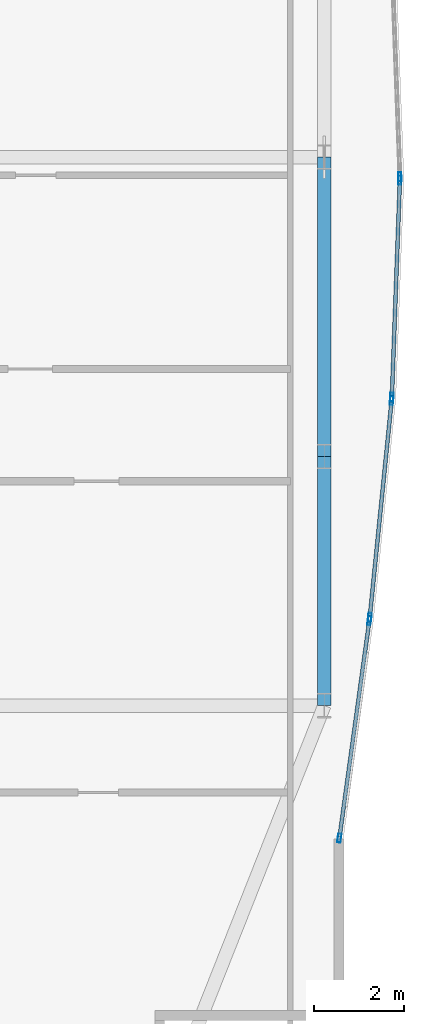
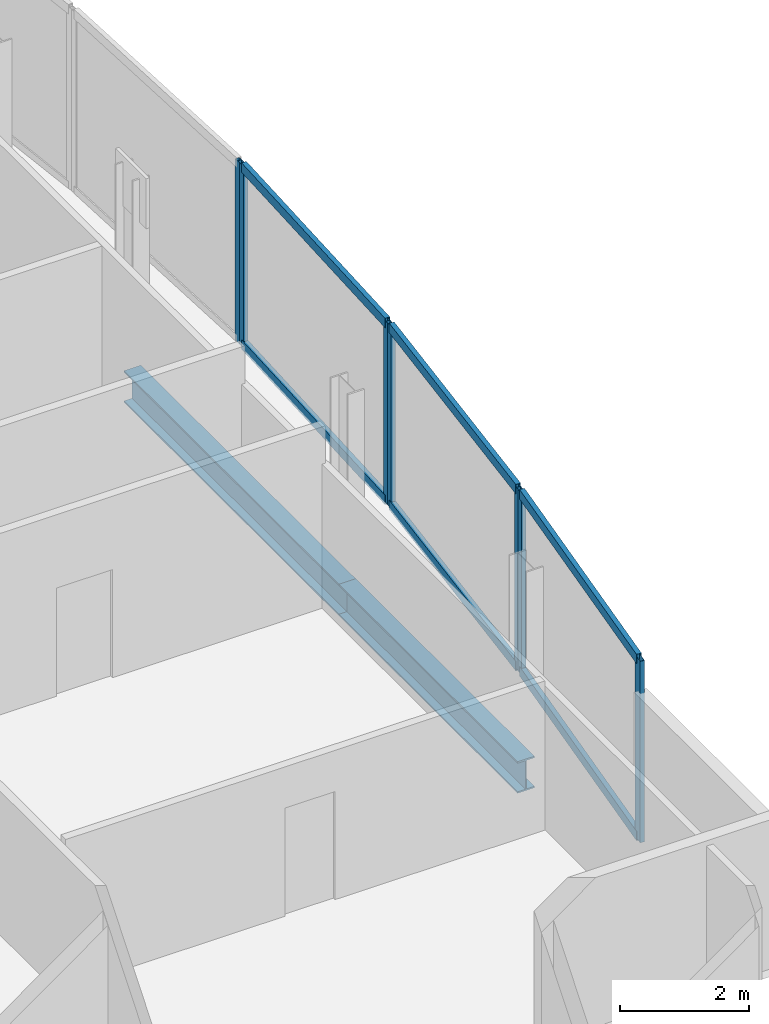
# One storey, part 21 of 29: 13 members, 2 beams, 4 elements without a shape of their own.
"""IFC4 building model written with IfcOpenShell, lengths in metres."""

from ifc_helpers import new_model, si_unit, direction, frame, origin, origin_2d, place, context, subcontext, project, spatial, hollow_rectangle, i_section, extrude, material, material_profile, profile_set, type_object, element, aggregate, save


model = new_model("IFC4")

# Units and contexts
model_context = context("Model", 3, precision=1e-05, world=origin(), true_north=direction((0.0, 1.0)))
body_context = subcontext(model_context, "Body", "Model", "MODEL_VIEW")
ifc_project = project(units=[si_unit("LENGTHUNIT", "METRE"), si_unit("AREAUNIT", "SQUARE_METRE"), si_unit("VOLUMEUNIT", "CUBIC_METRE"), si_unit("PLANEANGLEUNIT", "RADIAN"), si_unit("MASSUNIT", "GRAM", prefix="KILO")], contexts=[model_context])

# Site, building, storey
site_placement = place(None, origin())
site = spatial("IfcSite", under=ifc_project, at=site_placement, CompositionType="ELEMENT")
building_placement = place(site_placement, origin())
building = spatial("IfcBuilding", under=site, at=building_placement, Name="Khoronbel Lancet Exchange", CompositionType="ELEMENT")
storey_placement = place(building_placement, frame((0.0, 0.0, 177.0)))
storey = spatial("IfcBuildingStorey", under=building, at=storey_placement, Name="L44", CompositionType="ELEMENT", Elevation=177.0)

# Beams
ifc_material_1 = material(Name="Steel S355", Category="steel")
ifc_material_profile_1 = material_profile(ifc_material_1, i_section(OverallWidth=0.300048828125, OverallDepth=0.60009765625, WebThickness=0.015380859375, FlangeThickness=0.030029296875, at=origin_2d()), Name="HEB 600")
ifc_profile_set_1 = profile_set([ifc_material_profile_1], Name="Steel S355")
beam_type = type_object("IfcBeamType", Name="BM-BSP2", PredefinedType="SPANDREL", material=ifc_profile_set_1)
beam_1_placement = place(storey_placement, frame((67.6298828125, 19.199951171875, -0.4599609375), z_axis=(0.0, 1.0, 0.0), x_axis=(-1.0, 0.0, 0.0)))
element("IfcBeam", 1, at=beam_1_placement, inside=storey, type_object=beam_type, Name="Level L44 perimeter spandrel beam SP11", PredefinedType="SPANDREL", context=body_context, shape_type="SweptSolid", body=[
    extrude(i_section(OverallWidth=0.300048828125, OverallDepth=0.60009765625, WebThickness=0.015380859375, FlangeThickness=0.030029296875, at=origin_2d()), origin(), (0.0, 0.0, 1.0), 5.550048828125),
])
beam_2_placement = place(storey_placement, frame((67.6298828125, 24.75, -0.4599609375), z_axis=(0.0, 1.0, 0.0), x_axis=(-1.0, 0.0, 0.0)))
element("IfcBeam", 2, at=beam_2_placement, inside=storey, type_object=beam_type, Name="Level L44 perimeter spandrel beam SP12", PredefinedType="SPANDREL", context=body_context, shape_type="SweptSolid", body=[
    extrude(i_section(OverallWidth=0.300048828125, OverallDepth=0.60009765625, WebThickness=0.015380859375, FlangeThickness=0.030029296875, at=origin_2d()), origin(), (0.0, 0.0, 1.0), 6.675048828125),
])

# Curtain wall, member
ifc_material_2 = material(Name="Low-E Solar Control Insulating Glass", Category="glass")
curtain_wall_type = type_object("IfcCurtainWallType", Name="CW-4", PredefinedType="NOTDEFINED", material=ifc_material_2)
curtain_wall_1_placement = place(storey_placement, origin())
curtain_wall_1 = element("IfcCurtainWall", 3, at=curtain_wall_1_placement, inside=storey, type_object=curtain_wall_type, Name="Unitised curtain wall CW-L44-E19", PredefinedType="NOTDEFINED")
ifc_material_3 = material(Name="Bronze-Anodised Aluminium 6063-T6", Category="aluminium")
ifc_material_profile_2 = material_profile(ifc_material_3, hollow_rectangle(XDim=0.074951171875, YDim=0.199951171875, WallThickness=0.0048828125, at=origin_2d()), Name="ALU MULLION 75x200")
ifc_profile_set_2 = profile_set([ifc_material_profile_2], Name="Bronze-Anodised Aluminium 6063-T6")
member_type_1 = type_object("IfcMemberType", Name="MEM-CWM2", PredefinedType="MULLION", material=ifc_profile_set_2)
member_1_placement = place(storey_placement, frame((69.31396484375, 30.987548828125, 0.0), z_axis=(0.0, 0.0, 1.0), x_axis=(0.999319120197, 0.036895745143, 0.0)))
member_1 = element("IfcMember", 4, at=member_1_placement, type_object=member_type_1, Name="CW4 mullion 2", PredefinedType="MULLION", context=body_context, shape_type="SweptSolid", body=[
    extrude(hollow_rectangle(XDim=0.074951171875, YDim=0.199951171875, WallThickness=0.0048828125, at=origin_2d()), origin(), (0.0, 0.0, 1.0), 3.43994140625),
])
aggregate(curtain_wall_1, [member_1])

# Curtain wall, members
curtain_wall_2_placement = place(storey_placement, origin())
curtain_wall_2 = element("IfcCurtainWall", 5, at=curtain_wall_2_placement, inside=storey, type_object=curtain_wall_type, Name="Unitised curtain wall CW-L44-E20", PredefinedType="NOTDEFINED")
member_2_placement = place(storey_placement, frame((69.31396484375, 30.91259765625, 0.0), z_axis=(0.0, 0.0, 1.0), x_axis=(0.999319120197, -0.036895745143, 0.0)))
member_2 = element("IfcMember", 6, at=member_2_placement, type_object=member_type_1, Name="CW4 mullion 1", PredefinedType="MULLION", context=body_context, shape_type="SweptSolid", body=[
    extrude(hollow_rectangle(XDim=0.074951171875, YDim=0.199951171875, WallThickness=0.0048828125, at=origin_2d()), origin(), (0.0, 0.0, 1.0), 3.43994140625),
])
member_3_placement = place(storey_placement, frame((69.135498046875, 26.076904296875, 0.0), z_axis=(0.0, 0.0, 1.0), x_axis=(0.999319120197, -0.036895745143, 0.0)))
member_3 = element("IfcMember", 7, at=member_3_placement, type_object=member_type_1, Name="CW4 mullion 2", PredefinedType="MULLION", context=body_context, shape_type="SweptSolid", body=[
    extrude(hollow_rectangle(XDim=0.074951171875, YDim=0.199951171875, WallThickness=0.0048828125, at=origin_2d()), origin(), (0.0, 0.0, 1.0), 3.43994140625),
])

curtain_wall_3_placement = place(storey_placement, origin())
curtain_wall_3 = element("IfcCurtainWall", 8, at=curtain_wall_3_placement, inside=storey, type_object=curtain_wall_type, Name="Unitised curtain wall CW-L44-E21", PredefinedType="NOTDEFINED")
member_4_placement = place(storey_placement, frame((69.130126953125, 26.002197265625, 0.0), z_axis=(0.0, 0.0, 1.0), x_axis=(0.994946738202, -0.10040412412, 0.0)))
member_4 = element("IfcMember", 9, at=member_4_placement, type_object=member_type_1, Name="CW4 mullion 1", PredefinedType="MULLION", context=body_context, shape_type="SweptSolid", body=[
    extrude(hollow_rectangle(XDim=0.074951171875, YDim=0.199951171875, WallThickness=0.0048828125, at=origin_2d()), origin(), (0.0, 0.0, 1.0), 3.43994140625),
])
member_5_placement = place(storey_placement, frame((68.64208984375, 21.164794921875, 0.0), z_axis=(0.0, 0.0, 1.0), x_axis=(0.994946738202, -0.10040412412, 0.0)))
member_5 = element("IfcMember", 10, at=member_5_placement, type_object=member_type_1, Name="CW4 mullion 2", PredefinedType="MULLION", context=body_context, shape_type="SweptSolid", body=[
    extrude(hollow_rectangle(XDim=0.074951171875, YDim=0.199951171875, WallThickness=0.0048828125, at=origin_2d()), origin(), (0.0, 0.0, 1.0), 3.43994140625),
])

curtain_wall_4_placement = place(storey_placement, origin())
curtain_wall_4 = element("IfcCurtainWall", 11, at=curtain_wall_4_placement, inside=storey, type_object=curtain_wall_type, Name="Unitised curtain wall CW-L44-E22", PredefinedType="NOTDEFINED")
member_6_placement = place(storey_placement, frame((68.63330078125, 21.09033203125, 0.0), z_axis=(0.0, 0.0, 1.0), x_axis=(0.990634372292, -0.136541350639, 0.0)))
member_6 = element("IfcMember", 12, at=member_6_placement, type_object=member_type_1, Name="CW4 mullion 1", PredefinedType="MULLION", context=body_context, shape_type="SweptSolid", body=[
    extrude(hollow_rectangle(XDim=0.074951171875, YDim=0.199951171875, WallThickness=0.0048828125, at=origin_2d()), origin(), (0.0, 0.0, 1.0), 3.43994140625),
])
member_7_placement = place(storey_placement, frame((67.965087890625, 16.243408203125, 0.0), z_axis=(0.0, 0.0, 1.0), x_axis=(0.990634372292, -0.136541350639, 0.0)))
member_7 = element("IfcMember", 13, at=member_7_placement, type_object=member_type_1, Name="CW4 mullion 2", PredefinedType="MULLION", context=body_context, shape_type="SweptSolid", body=[
    extrude(hollow_rectangle(XDim=0.074951171875, YDim=0.199951171875, WallThickness=0.0048828125, at=origin_2d()), origin(), (0.0, 0.0, 1.0), 3.43994140625),
])

# Member
ifc_material_profile_3 = material_profile(ifc_material_3, hollow_rectangle(XDim=0.0849609375, YDim=0.179931640625, WallThickness=0.0048828125, at=origin_2d()), Name="ALU TRANSOM 85x180")
ifc_profile_set_3 = profile_set([ifc_material_profile_3], Name="Bronze-Anodised Aluminium 6063-T6")
member_type_2 = type_object("IfcMemberType", Name="MEM-CWT1", PredefinedType="USERDEFINED", material=ifc_profile_set_3)
member_8_placement = place(storey_placement, frame((69.3125, 30.875, 0.04248046875), z_axis=(-0.036899823484, -0.999318969612, 0.0), x_axis=(0.999318969612, -0.036899823484, 0.0)))
member_8 = element("IfcMember", 14, at=member_8_placement, type_object=member_type_2, Name="CW4 transom 1.1", ObjectType="TRANSOM", PredefinedType="USERDEFINED", context=body_context, shape_type="SweptSolid", body=[
    extrude(hollow_rectangle(XDim=0.0849609375, YDim=0.179931640625, WallThickness=0.0048828125, at=origin_2d()), origin(), (0.0, 0.0, 1.0), 4.763671875),
])

member_9_placement = place(storey_placement, frame((69.3125, 30.875, 3.3974609375), z_axis=(-0.036899823484, -0.999318969612, 0.0), x_axis=(0.999318969612, -0.036899823484, 0.0)))
member_9 = element("IfcMember", 15, at=member_9_placement, type_object=member_type_2, Name="CW4 transom 1.2", ObjectType="TRANSOM", PredefinedType="USERDEFINED", context=body_context, shape_type="SweptSolid", body=[
    extrude(hollow_rectangle(XDim=0.0849609375, YDim=0.179931640625, WallThickness=0.0048828125, at=origin_2d()), origin(), (0.0, 0.0, 1.0), 4.763671875),
])

aggregate(curtain_wall_2, [member_2, member_3, member_8, member_9])

member_10_placement = place(storey_placement, frame((69.12646484375, 25.96484375, 0.04248046875), z_axis=(-0.100417624929, -0.994945375688, 0.0), x_axis=(0.994945375688, -0.100417624929, 0.0)))
member_10 = element("IfcMember", 16, at=member_10_placement, type_object=member_type_2, Name="CW4 transom 1.1", ObjectType="TRANSOM", PredefinedType="USERDEFINED", context=body_context, shape_type="SweptSolid", body=[
    extrude(hollow_rectangle(XDim=0.0849609375, YDim=0.179931640625, WallThickness=0.0048828125, at=origin_2d()), origin(), (0.0, 0.0, 1.0), 4.787109375),
])

member_11_placement = place(storey_placement, frame((69.12646484375, 25.96484375, 3.3974609375), z_axis=(-0.100417624929, -0.994945375688, 0.0), x_axis=(0.994945375688, -0.100417624929, 0.0)))
member_11 = element("IfcMember", 17, at=member_11_placement, type_object=member_type_2, Name="CW4 transom 1.2", ObjectType="TRANSOM", PredefinedType="USERDEFINED", context=body_context, shape_type="SweptSolid", body=[
    extrude(hollow_rectangle(XDim=0.0849609375, YDim=0.179931640625, WallThickness=0.0048828125, at=origin_2d()), origin(), (0.0, 0.0, 1.0), 4.787109375),
])

aggregate(curtain_wall_3, [member_4, member_5, member_10, member_11])

member_12_placement = place(storey_placement, frame((68.628173828125, 21.05322265625, 0.04248046875), z_axis=(-0.136567091451, -0.990630824037, 0.0), x_axis=(0.990630824037, -0.136567091451, 0.0)))
member_12 = element("IfcMember", 18, at=member_12_placement, type_object=member_type_2, Name="CW4 transom 1.1", ObjectType="TRANSOM", PredefinedType="USERDEFINED", context=body_context, shape_type="SweptSolid", body=[
    extrude(hollow_rectangle(XDim=0.0849609375, YDim=0.179931640625, WallThickness=0.0048828125, at=origin_2d()), origin(), (0.0, 0.0, 1.0), 4.81787109375),
])

member_13_placement = place(storey_placement, frame((68.628173828125, 21.05322265625, 3.3974609375), z_axis=(-0.136567091451, -0.990630824037, 0.0), x_axis=(0.990630824037, -0.136567091451, 0.0)))
member_13 = element("IfcMember", 19, at=member_13_placement, type_object=member_type_2, Name="CW4 transom 1.2", ObjectType="TRANSOM", PredefinedType="USERDEFINED", context=body_context, shape_type="SweptSolid", body=[
    extrude(hollow_rectangle(XDim=0.0849609375, YDim=0.179931640625, WallThickness=0.0048828125, at=origin_2d()), origin(), (0.0, 0.0, 1.0), 4.81787109375),
])

aggregate(curtain_wall_4, [member_6, member_7, member_12, member_13])

save(model, "model.ifc")
